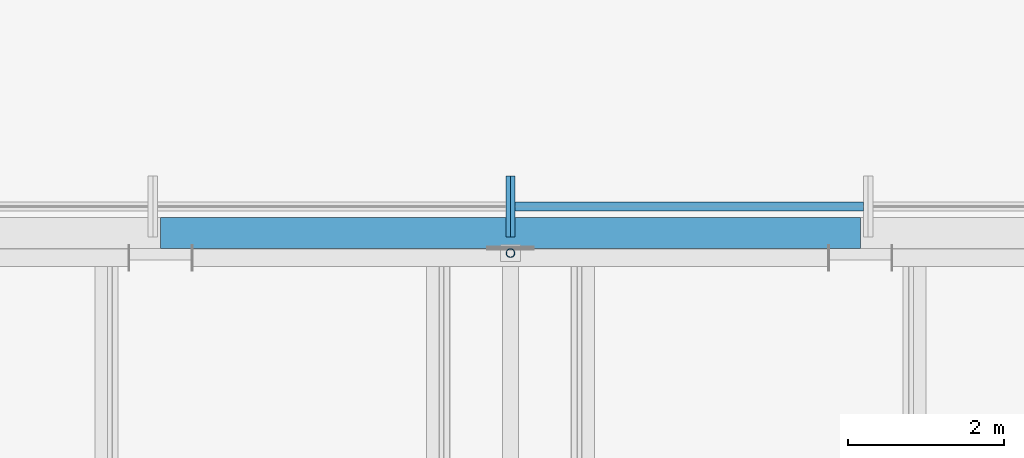
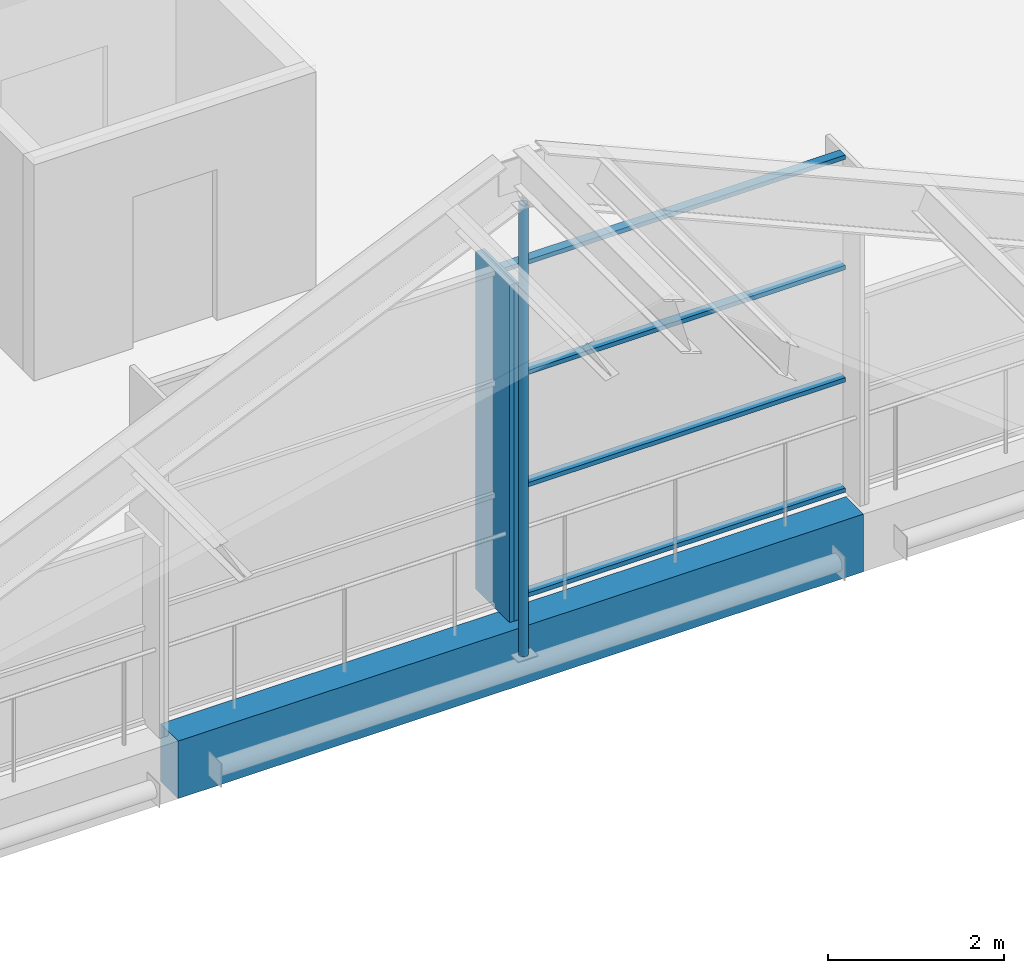
# One storey, part 45 of 106: 7 members, 1 beam, 2 elements without a shape of their own.
"""IFC4 building model written with IfcOpenShell, lengths in metres."""

import ifcopenshell
import ifcopenshell.guid

model = None  # the IFC model being written
_history = None  # IfcOwnerHistory: only IFC2X3 demands one
_inside = {}  # id of a spatial element -> (the spatial element, [elements in it])
_under = {}  # id of a project, library or spatial element -> (it, [spatial elements below it])
_declared = {}  # id of a project -> (the project, [libraries it declares])
_typed = {}  # id of a type object -> (the type object, [elements of that type])
_made_of = {}  # id of a material, layer set ... -> (it, [elements and type objects made of it])


def new_model(schema):
    """Start an empty IFC model of exactly this schema.

    Asked for "IFC4X3", IfcOpenShell would pick the latest addendum, in which some entities
    have other attributes; the version numbers below select the first issue.
    IFC2X3 requires an IfcOwnerHistory on every rooted entity: one is made here for all.
    """
    global model, _history
    if schema == "IFC4X3":
        model = ifcopenshell.file(schema_version=(4, 3, 0, 0))
    else:
        model = ifcopenshell.file(schema=schema)
    _inside.clear()
    _under.clear()
    _declared.clear()
    _typed.clear()
    _made_of.clear()
    _history = None
    if model.schema == "IFC2X3":
        org = make("IfcOrganization", Name="unknown")
        user = make(
            "IfcPersonAndOrganization",
            ThePerson=make("IfcPerson", FamilyName="unknown"),
            TheOrganization=org,
        )
        app = make(
            "IfcApplication",
            ApplicationDeveloper=org,
            Version="unknown",
            ApplicationFullName="unknown",
            ApplicationIdentifier="unknown",
        )
        _history = make(
            "IfcOwnerHistory",
            OwningUser=user,
            OwningApplication=app,
            ChangeAction="ADDED",
            CreationDate=0,
        )
    return model


def make(cls, **values):
    """One entity of the class cls with the attributes given. An attribute that is None is left unset."""
    return model.create_entity(
        cls, **{name: value for name, value in values.items() if value is not None}
    )


def rooted(cls, **values):
    """An entity with a GlobalId (a new one), such as an element, a storey or a relation."""
    return make(cls, GlobalId=ifcopenshell.guid.new(), OwnerHistory=_history, **values)


def si_unit(unit_type, name, prefix=None):
    """IfcSIUnit, for example si_unit("LENGTHUNIT", "METRE", prefix="MILLI")."""
    return make("IfcSIUnit", UnitType=unit_type, Prefix=prefix, Name=name)


def assignment(units):
    """IfcUnitAssignment: the units of a project."""
    return None if units is None else make("IfcUnitAssignment", Units=units)


def point(xyz):
    """IfcCartesianPoint."""
    return None if xyz is None else make("IfcCartesianPoint", Coordinates=xyz)


def direction(xyz):
    """IfcDirection."""
    return None if xyz is None else make("IfcDirection", DirectionRatios=xyz)


def frame(location, z_axis=None, x_axis=None):
    """IfcAxis2Placement3D, a coordinate frame: its origin and axes. An axis left out is left unset."""
    return make(
        "IfcAxis2Placement3D",
        Location=point(location),
        Axis=direction(z_axis),
        RefDirection=direction(x_axis),
    )


def frame_2d(location, x_axis=None):
    """IfcAxis2Placement2D, a coordinate frame in the plane: its origin and x axis."""
    return make(
        "IfcAxis2Placement2D", Location=point(location), RefDirection=direction(x_axis)
    )


def origin():
    """The frame at (0, 0, 0) with its axes left unset."""
    return frame((0.0, 0.0, 0.0))


def origin_2d():
    """The frame at (0, 0) in the plane with its x axis left unset."""
    return frame_2d((0.0, 0.0))


def place(relative_to, where):
    """IfcLocalPlacement: puts the frame where relative to a parent placement (None: the world)."""
    return make(
        "IfcLocalPlacement", PlacementRelTo=relative_to, RelativePlacement=where
    )


def context(
    kind, dimensions, precision=None, world=None, true_north=None, identifier=None
):
    """IfcGeometricRepresentationContext, for example the 3D "Model" context."""
    return make(
        "IfcGeometricRepresentationContext",
        ContextIdentifier=identifier,
        ContextType=kind,
        CoordinateSpaceDimension=dimensions,
        Precision=precision,
        WorldCoordinateSystem=world,
        TrueNorth=true_north,
    )


def subcontext(parent, identifier, kind, view, scale=None):
    """IfcGeometricRepresentationSubContext, for example "Body" below "Model"."""
    return make(
        "IfcGeometricRepresentationSubContext",
        ContextIdentifier=identifier,
        ContextType=kind,
        ParentContext=parent,
        TargetScale=scale,
        TargetView=view,
    )


def project(units=None, contexts=None):
    """IfcProject with its units and contexts."""
    return rooted(
        "IfcProject",
        Name="project",
        RepresentationContexts=contexts,
        UnitsInContext=assignment(units),
    )


def spatial(cls, under=None, at=None, **own):
    """A site, building, storey or space (cls), placed at a placement, below another one or the project."""
    s = rooted(cls, ObjectPlacement=at, **own)
    if under is not None:
        _under.setdefault(under.id(), (under, []))[1].append(s)
    return s


def profile(cls, at=None, kind="AREA", **sizes):
    """A parametric profile (cls). Its sizes go by their IFC names, for example OverallWidth=200.0."""
    return make(cls, ProfileType=kind, Position=at, **sizes)


def rectangle(**sizes):
    """IfcRectangleProfileDef."""
    return profile("IfcRectangleProfileDef", **sizes)


def hollow_circle(**sizes):
    """IfcCircleHollowProfileDef."""
    return profile("IfcCircleHollowProfileDef", **sizes)


def extrude(swept, where, along, depth):
    """IfcExtrudedAreaSolid: the profile swept, set in the frame where, extruded along a direction by depth."""
    return make(
        "IfcExtrudedAreaSolid",
        SweptArea=swept,
        Position=where,
        ExtrudedDirection=direction(along),
        Depth=depth,
    )


def shape(context_of_items, identifier, shape_type, items):
    """IfcShapeRepresentation: the items that make up one representation, for example the "Body"."""
    return make(
        "IfcShapeRepresentation",
        ContextOfItems=context_of_items,
        RepresentationIdentifier=identifier,
        RepresentationType=shape_type,
        Items=items,
    )


def material(Name=None, Category=None):
    """IfcMaterial."""
    return make("IfcMaterial", Name=Name, Category=Category)


def layer(
    of_material, thickness, ventilated=None, Name=None, Category=None, Priority=None
):
    """IfcMaterialLayer: one layer of a wall or slab, of a material (None: an air gap)."""
    return make(
        "IfcMaterialLayer",
        Material=of_material,
        LayerThickness=thickness,
        IsVentilated=ventilated,
        Name=Name,
        Category=Category,
        Priority=Priority,
    )


def layer_set(layers, Name=None):
    """IfcMaterialLayerSet."""
    return make("IfcMaterialLayerSet", MaterialLayers=layers, LayerSetName=Name)


def material_profile(
    of_material, cross_section, Name=None, Category=None, Priority=None
):
    """IfcMaterialProfile: a cross section and its material."""
    return make(
        "IfcMaterialProfile",
        Name=Name,
        Material=of_material,
        Profile=cross_section,
        Priority=Priority,
        Category=Category,
    )


def profile_set(profiles, Name=None, composite=None):
    """IfcMaterialProfileSet."""
    return make(
        "IfcMaterialProfileSet",
        Name=Name,
        MaterialProfiles=profiles,
        CompositeProfile=composite,
    )


def made_of(thing, what):
    """Note that an element or type object is made of a material, layer set ...; save() writes the relation."""
    if what is not None:
        _made_of.setdefault(what.id(), (what, []))[1].append(thing)
    return thing


def type_object(cls, material=None, **own):
    """A type object (cls), such as IfcWallType, which elements share."""
    return made_of(rooted(cls, **own), material)


def element(
    cls,
    number,
    at=None,
    inside=None,
    cuts=None,
    type_object=None,
    material=None,
    context=None,
    identifier="Body",
    shape_type=None,
    held_by="IfcProductDefinitionShape",
    body=None,
    shapes=None,
    **own,
):
    """One element of the class cls, such as IfcWall. Its Tag is "e" and its number.

    at: its placement. inside: the storey or other place that contains it. cuts: it is an
    opening in that element (IfcRelVoidsElement). A single representation is given by context,
    identifier, shape_type and body (its items); several are given by shapes. held_by: the class
    of the entity that holds the representations. save() writes the other relations.
    """
    e = rooted(cls, Tag="e%d" % number, ObjectPlacement=at, **own)
    if body is not None:
        shapes = [shape(context, identifier, shape_type, body)]
    if shapes is not None:
        e.Representation = make(held_by, Representations=shapes)
    if inside is not None:
        _inside.setdefault(inside.id(), (inside, []))[1].append(e)
    if cuts is not None:
        rooted(
            "IfcRelVoidsElement", RelatingBuildingElement=cuts, RelatedOpeningElement=e
        )
    if type_object is not None:
        _typed.setdefault(type_object.id(), (type_object, []))[1].append(e)
    return made_of(e, material)


def aggregate(whole, parts):
    """IfcRelAggregates: a whole, such as a stair, and the parts it consists of."""
    return rooted("IfcRelAggregates", RelatingObject=whole, RelatedObjects=parts)


def save(model, path):
    """Write the relations noted so far, then the file.

    IfcRelAggregates (storeys below a building ...), IfcRelContainedInSpatialStructure (elements
    in a storey), IfcRelDefinesByType, IfcRelAssociatesMaterial and IfcRelDeclares: one each for
    every whole, place, type object, material and project.
    """
    for whole, parts in _under.values():
        aggregate(whole, parts)
    for where, things in _inside.values():
        rooted(
            "IfcRelContainedInSpatialStructure",
            RelatedElements=things,
            RelatingStructure=where,
        )
    for kind, things in _typed.values():
        rooted("IfcRelDefinesByType", RelatedObjects=things, RelatingType=kind)
    for what, things in _made_of.values():
        rooted("IfcRelAssociatesMaterial", RelatedObjects=things, RelatingMaterial=what)
    for by, libraries in _declared.values():
        rooted("IfcRelDeclares", RelatingContext=by, RelatedDefinitions=libraries)
    model.write(path)


model = new_model("IFC4")

# Units and contexts
model_context = context("Model", 3, precision=1e-05, world=origin(), true_north=direction((0.0, 1.0)))
body_context = subcontext(model_context, "Body", "Model", "MODEL_VIEW")
ifc_project = project(units=[si_unit("LENGTHUNIT", "METRE"), si_unit("AREAUNIT", "SQUARE_METRE"), si_unit("VOLUMEUNIT", "CUBIC_METRE"), si_unit("PLANEANGLEUNIT", "RADIAN"), si_unit("MASSUNIT", "GRAM", prefix="KILO")], contexts=[model_context])

# Site, building, storey
site_placement = place(None, origin())
site = spatial("IfcSite", under=ifc_project, at=site_placement, CompositionType="ELEMENT")
building_placement = place(site_placement, origin())
building = spatial("IfcBuilding", under=site, at=building_placement, Name="Guidao Yard Department Store", CompositionType="ELEMENT")
storey_placement = place(building_placement, frame((0.0, 0.0, 10.5)))
storey = spatial("IfcBuildingStorey", under=building, at=storey_placement, Name="L02", CompositionType="ELEMENT", Elevation=10.5)

# Member
ifc_material_1 = material(Name="Steel Q355B", Category="steel")
ifc_material_profile_1 = material_profile(ifc_material_1, hollow_circle(Radius=0.056884765625, WallThickness=0.006103515625, at=origin_2d()), Name="CHS 114x6")
ifc_profile_set_1 = profile_set([ifc_material_profile_1], Name="Steel Q355B")
member_type_1 = type_object("IfcMemberType", Name="CHS 114x6", PredefinedType="BRACE", material=ifc_profile_set_1)
member_1_placement = place(storey_placement, frame((139.5, 89.93994140625, -0.33447265625), z_axis=(0.0, 0.0, 1.0), x_axis=(1.0, 0.0, 0.0)))
element("IfcMember", 1, at=member_1_placement, inside=storey, type_object=member_type_1, Name="Roof web strut F05-01", PredefinedType="BRACE", context=body_context, shape_type="SweptSolid", body=[
    extrude(hollow_circle(Radius=0.056884765625, WallThickness=0.006103515625, at=origin_2d()), origin(), (0.0, 0.0, 1.0), 6.272705078125),
])

# Curtain wall, member
ifc_material_2 = material(Name="Aluminium and glass", Category="aluminium")
ifc_layer = layer(ifc_material_2, 0.159912109375)
ifc_layer_set = layer_set([ifc_layer], Name="Gable glazing CW7 1500 module")
curtain_wall_type = type_object("IfcCurtainWallType", Name="Gable glazing CW7 1500 module", PredefinedType="NOTDEFINED", material=ifc_layer_set)
curtain_wall_1_placement = place(storey_placement, origin())
curtain_wall_1 = element("IfcCurtainWall", 2, at=curtain_wall_1_placement, inside=storey, type_object=curtain_wall_type, Name="Gable glazing FN3", PredefinedType="NOTDEFINED")
ifc_material_3 = material(Name="Aluminium 6063-T5", Category="aluminium")
ifc_material_profile_2 = material_profile(ifc_material_3, rectangle(XDim=0.06005859375, YDim=0.780029296875, at=origin_2d()), Name="Mullion M3 60 x 780 aluminium pressure plate")
ifc_profile_set_2 = profile_set([ifc_material_profile_2], Name="Aluminium 6063-T5")
member_type_2 = type_object("IfcMemberType", Name="Mullion M3 60 x 780 aluminium pressure plate", PredefinedType="MULLION", material=ifc_profile_set_2)
member_2_placement = place(storey_placement, frame((139.469970703125, 90.5400390625, 0.0), z_axis=(0.0, 0.0, 1.0), x_axis=(1.0, 0.0, 0.0)))
member_2 = element("IfcMember", 3, at=member_2_placement, type_object=member_type_2, Name="CW-TFN3 mullion 2", PredefinedType="MULLION", context=body_context, shape_type="SweptSolid", body=[
    extrude(rectangle(XDim=0.06005859375, YDim=0.780029296875, at=origin_2d()), origin(), (0.0, 0.0, 1.0), 4.68212890625),
])
aggregate(curtain_wall_1, [member_2])

# Curtain wall, members
curtain_wall_2_placement = place(storey_placement, origin())
curtain_wall_2 = element("IfcCurtainWall", 4, at=curtain_wall_2_placement, inside=storey, type_object=curtain_wall_type, Name="Gable glazing FN4", PredefinedType="NOTDEFINED")
member_3_placement = place(storey_placement, frame((139.530029296875, 90.5400390625, 0.0), z_axis=(0.0, 0.0, 1.0), x_axis=(1.0, 0.0, 0.0)))
member_3 = element("IfcMember", 5, at=member_3_placement, type_object=member_type_2, Name="CW-TFN4 mullion 1", PredefinedType="MULLION", context=body_context, shape_type="SweptSolid", body=[
    extrude(rectangle(XDim=0.06005859375, YDim=0.780029296875, at=origin_2d()), origin(), (0.0, 0.0, 1.0), 4.68212890625),
])
ifc_material_4 = material(Name="Aluminium 6063-T5", Category="aluminium")
ifc_material_profile_3 = material_profile(ifc_material_4, rectangle(XDim=0.1201171875, YDim=0.06005859375, at=origin_2d()), Name="Transom T1 60 x 120 aluminium pressure plate")
ifc_profile_set_3 = profile_set([ifc_material_profile_3], Name="Aluminium 6063-T5")
member_type_3 = type_object("IfcMemberType", Name="Transom T1 60 x 120 aluminium pressure plate", PredefinedType="USERDEFINED", material=ifc_profile_set_3)
member_4_placement = place(storey_placement, frame((139.56005859375, 90.5400390625, 0.030029296875), z_axis=(1.0, 0.0, 0.0), x_axis=(0.0, 1.0, 0.0)))
member_4 = element("IfcMember", 6, at=member_4_placement, type_object=member_type_3, Name="CW-TFN4 transom 1.1", ObjectType="TRANSOM", PredefinedType="USERDEFINED", context=body_context, shape_type="SweptSolid", body=[
    extrude(rectangle(XDim=0.1201171875, YDim=0.06005859375, at=origin_2d()), origin(), (0.0, 0.0, 1.0), 4.478759765625),
])
member_5_placement = place(storey_placement, frame((139.56005859375, 90.5400390625, 1.560791015625), z_axis=(1.0, 0.0, 0.0), x_axis=(0.0, 1.0, 0.0)))
member_5 = element("IfcMember", 7, at=member_5_placement, type_object=member_type_3, Name="CW-TFN4 transom 1.2", ObjectType="TRANSOM", PredefinedType="USERDEFINED", context=body_context, shape_type="SweptSolid", body=[
    extrude(rectangle(XDim=0.1201171875, YDim=0.06005859375, at=origin_2d()), origin(), (0.0, 0.0, 1.0), 4.478759765625),
])
member_6_placement = place(storey_placement, frame((139.56005859375, 90.5400390625, 3.121337890625), z_axis=(1.0, 0.0, 0.0), x_axis=(0.0, 1.0, 0.0)))
member_6 = element("IfcMember", 8, at=member_6_placement, type_object=member_type_3, Name="CW-TFN4 transom 1.3", ObjectType="TRANSOM", PredefinedType="USERDEFINED", context=body_context, shape_type="SweptSolid", body=[
    extrude(rectangle(XDim=0.1201171875, YDim=0.06005859375, at=origin_2d()), origin(), (0.0, 0.0, 1.0), 4.478759765625),
])
member_7_placement = place(storey_placement, frame((139.56005859375, 90.5400390625, 4.652099609375), z_axis=(1.0, 0.0, 0.0), x_axis=(0.0, 1.0, 0.0)))
member_7 = element("IfcMember", 9, at=member_7_placement, type_object=member_type_3, Name="CW-TFN4 transom 1.4", ObjectType="TRANSOM", PredefinedType="USERDEFINED", context=body_context, shape_type="SweptSolid", body=[
    extrude(rectangle(XDim=0.1201171875, YDim=0.06005859375, at=origin_2d()), origin(), (0.0, 0.0, 1.0), 4.478759765625),
])
aggregate(curtain_wall_2, [member_3, member_4, member_5, member_6, member_7])

# Beam
ifc_material_5 = material(Name="Concrete C40", Category="concrete")
ifc_material_profile_4 = material_profile(ifc_material_5, rectangle(XDim=0.39990234375, YDim=0.800048828125, at=origin_2d()), Name="Vault bearing beam 400 x 800 C40")
ifc_profile_set_4 = profile_set([ifc_material_profile_4], Name="Concrete C40")
beam_type = type_object("IfcBeamType", Name="Vault bearing beam 400 x 800 C40", PredefinedType="BEAM", material=ifc_profile_set_4)
beam_placement = place(storey_placement, frame((135.0, 90.199951171875, -0.39990234375), z_axis=(1.0, 0.0, 0.0), x_axis=(0.0, 1.0, 0.0)))
element("IfcBeam", 10, at=beam_placement, inside=storey, type_object=beam_type, Name="Beam VB06", PredefinedType="BEAM", context=body_context, shape_type="SweptSolid", body=[
    extrude(rectangle(XDim=0.39990234375, YDim=0.800048828125, at=origin_2d()), origin(), (0.0, 0.0, 1.0), 9.0),
])

save(model, "model.ifc")
